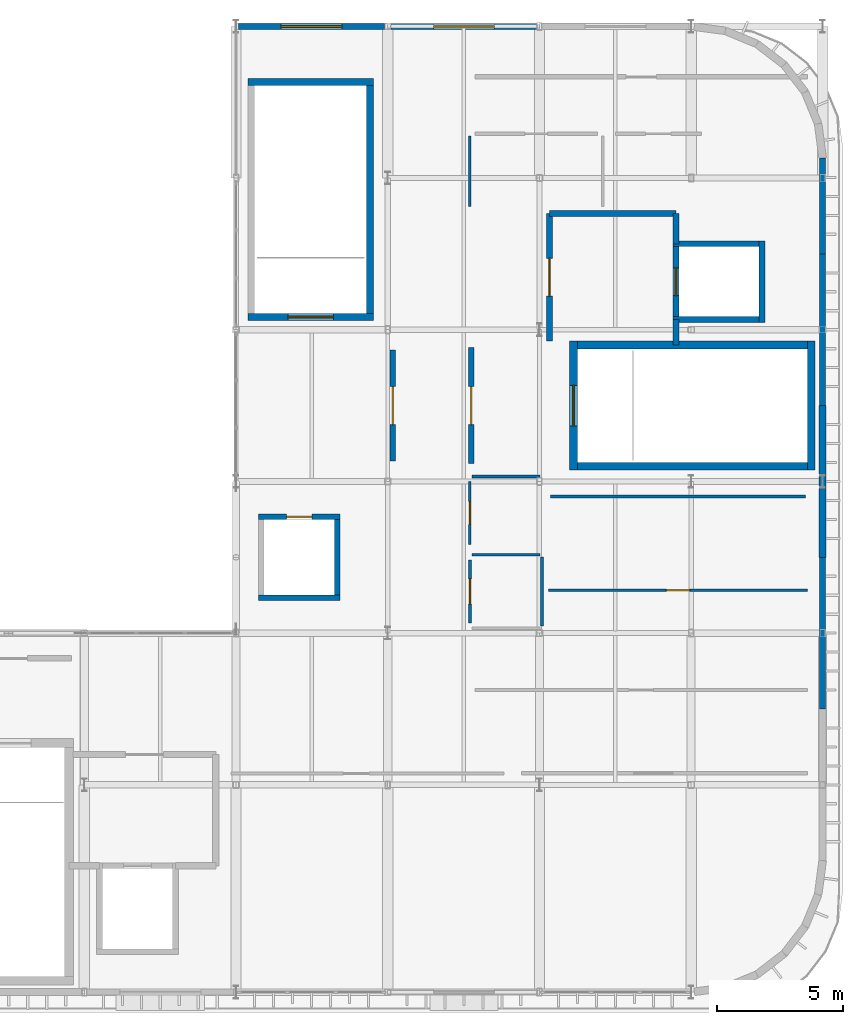
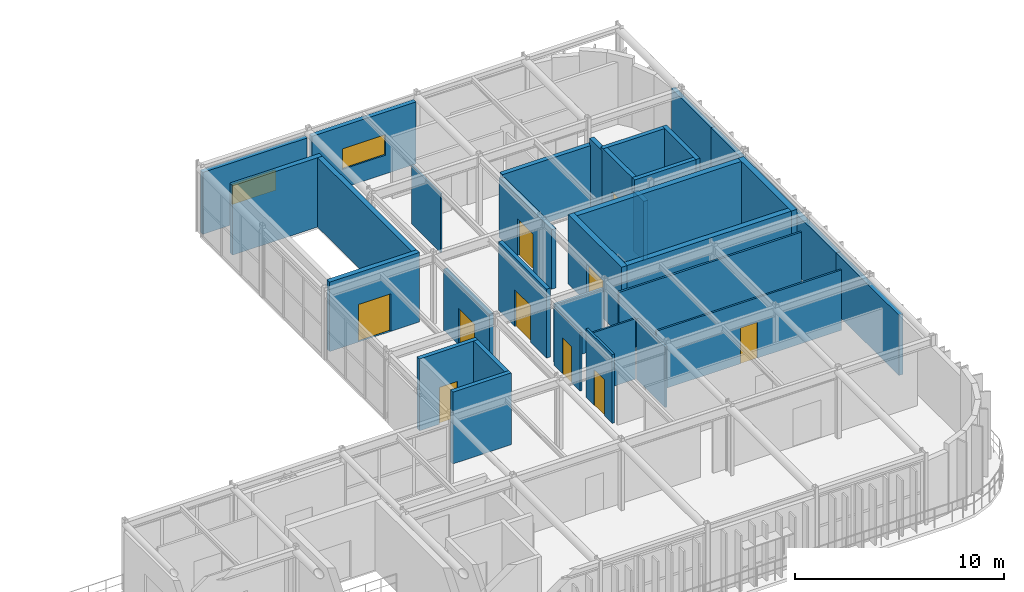
# One storey, part 9 of 14: 34 walls, 10 doors, 2 windows, 12 openings.
"""IFC4 building model written with IfcOpenShell, lengths in metres."""

import ifcopenshell
import ifcopenshell.guid

model = None  # the IFC model being written
_history = None  # IfcOwnerHistory: only IFC2X3 demands one
_inside = {}  # id of a spatial element -> (the spatial element, [elements in it])
_under = {}  # id of a project, library or spatial element -> (it, [spatial elements below it])
_declared = {}  # id of a project -> (the project, [libraries it declares])
_typed = {}  # id of a type object -> (the type object, [elements of that type])
_made_of = {}  # id of a material, layer set ... -> (it, [elements and type objects made of it])


def new_model(schema):
    """Start an empty IFC model of exactly this schema.

    Asked for "IFC4X3", IfcOpenShell would pick the latest addendum, in which some entities
    have other attributes; the version numbers below select the first issue.
    IFC2X3 requires an IfcOwnerHistory on every rooted entity: one is made here for all.
    """
    global model, _history
    if schema == "IFC4X3":
        model = ifcopenshell.file(schema_version=(4, 3, 0, 0))
    else:
        model = ifcopenshell.file(schema=schema)
    _inside.clear()
    _under.clear()
    _declared.clear()
    _typed.clear()
    _made_of.clear()
    _history = None
    if model.schema == "IFC2X3":
        org = make("IfcOrganization", Name="unknown")
        user = make(
            "IfcPersonAndOrganization",
            ThePerson=make("IfcPerson", FamilyName="unknown"),
            TheOrganization=org,
        )
        app = make(
            "IfcApplication",
            ApplicationDeveloper=org,
            Version="unknown",
            ApplicationFullName="unknown",
            ApplicationIdentifier="unknown",
        )
        _history = make(
            "IfcOwnerHistory",
            OwningUser=user,
            OwningApplication=app,
            ChangeAction="ADDED",
            CreationDate=0,
        )
    return model


def make(cls, **values):
    """One entity of the class cls with the attributes given. An attribute that is None is left unset."""
    return model.create_entity(
        cls, **{name: value for name, value in values.items() if value is not None}
    )


def rooted(cls, **values):
    """An entity with a GlobalId (a new one), such as an element, a storey or a relation."""
    return make(cls, GlobalId=ifcopenshell.guid.new(), OwnerHistory=_history, **values)


def si_unit(unit_type, name, prefix=None):
    """IfcSIUnit, for example si_unit("LENGTHUNIT", "METRE", prefix="MILLI")."""
    return make("IfcSIUnit", UnitType=unit_type, Prefix=prefix, Name=name)


def assignment(units):
    """IfcUnitAssignment: the units of a project."""
    return None if units is None else make("IfcUnitAssignment", Units=units)


def point(xyz):
    """IfcCartesianPoint."""
    return None if xyz is None else make("IfcCartesianPoint", Coordinates=xyz)


def direction(xyz):
    """IfcDirection."""
    return None if xyz is None else make("IfcDirection", DirectionRatios=xyz)


def frame(location, z_axis=None, x_axis=None):
    """IfcAxis2Placement3D, a coordinate frame: its origin and axes. An axis left out is left unset."""
    return make(
        "IfcAxis2Placement3D",
        Location=point(location),
        Axis=direction(z_axis),
        RefDirection=direction(x_axis),
    )


def frame_2d(location, x_axis=None):
    """IfcAxis2Placement2D, a coordinate frame in the plane: its origin and x axis."""
    return make(
        "IfcAxis2Placement2D", Location=point(location), RefDirection=direction(x_axis)
    )


def origin():
    """The frame at (0, 0, 0) with its axes left unset."""
    return frame((0.0, 0.0, 0.0))


def place(relative_to, where):
    """IfcLocalPlacement: puts the frame where relative to a parent placement (None: the world)."""
    return make(
        "IfcLocalPlacement", PlacementRelTo=relative_to, RelativePlacement=where
    )


def context(
    kind, dimensions, precision=None, world=None, true_north=None, identifier=None
):
    """IfcGeometricRepresentationContext, for example the 3D "Model" context."""
    return make(
        "IfcGeometricRepresentationContext",
        ContextIdentifier=identifier,
        ContextType=kind,
        CoordinateSpaceDimension=dimensions,
        Precision=precision,
        WorldCoordinateSystem=world,
        TrueNorth=true_north,
    )


def subcontext(parent, identifier, kind, view, scale=None):
    """IfcGeometricRepresentationSubContext, for example "Body" below "Model"."""
    return make(
        "IfcGeometricRepresentationSubContext",
        ContextIdentifier=identifier,
        ContextType=kind,
        ParentContext=parent,
        TargetScale=scale,
        TargetView=view,
    )


def project(units=None, contexts=None):
    """IfcProject with its units and contexts."""
    return rooted(
        "IfcProject",
        Name="project",
        RepresentationContexts=contexts,
        UnitsInContext=assignment(units),
    )


def spatial(cls, under=None, at=None, **own):
    """A site, building, storey or space (cls), placed at a placement, below another one or the project."""
    s = rooted(cls, ObjectPlacement=at, **own)
    if under is not None:
        _under.setdefault(under.id(), (under, []))[1].append(s)
    return s


def profile(cls, at=None, kind="AREA", **sizes):
    """A parametric profile (cls). Its sizes go by their IFC names, for example OverallWidth=200.0."""
    return make(cls, ProfileType=kind, Position=at, **sizes)


def rectangle(**sizes):
    """IfcRectangleProfileDef."""
    return profile("IfcRectangleProfileDef", **sizes)


def extrude(swept, where, along, depth):
    """IfcExtrudedAreaSolid: the profile swept, set in the frame where, extruded along a direction by depth."""
    return make(
        "IfcExtrudedAreaSolid",
        SweptArea=swept,
        Position=where,
        ExtrudedDirection=direction(along),
        Depth=depth,
    )


def shape(context_of_items, identifier, shape_type, items):
    """IfcShapeRepresentation: the items that make up one representation, for example the "Body"."""
    return make(
        "IfcShapeRepresentation",
        ContextOfItems=context_of_items,
        RepresentationIdentifier=identifier,
        RepresentationType=shape_type,
        Items=items,
    )


def material(Name=None, Category=None):
    """IfcMaterial."""
    return make("IfcMaterial", Name=Name, Category=Category)


def layer(
    of_material, thickness, ventilated=None, Name=None, Category=None, Priority=None
):
    """IfcMaterialLayer: one layer of a wall or slab, of a material (None: an air gap)."""
    return make(
        "IfcMaterialLayer",
        Material=of_material,
        LayerThickness=thickness,
        IsVentilated=ventilated,
        Name=Name,
        Category=Category,
        Priority=Priority,
    )


def layer_set(layers, Name=None):
    """IfcMaterialLayerSet."""
    return make("IfcMaterialLayerSet", MaterialLayers=layers, LayerSetName=Name)


def made_of(thing, what):
    """Note that an element or type object is made of a material, layer set ...; save() writes the relation."""
    if what is not None:
        _made_of.setdefault(what.id(), (what, []))[1].append(thing)
    return thing


def type_object(cls, material=None, **own):
    """A type object (cls), such as IfcWallType, which elements share."""
    return made_of(rooted(cls, **own), material)


def element(
    cls,
    number,
    at=None,
    inside=None,
    cuts=None,
    type_object=None,
    material=None,
    context=None,
    identifier="Body",
    shape_type=None,
    held_by="IfcProductDefinitionShape",
    body=None,
    shapes=None,
    **own,
):
    """One element of the class cls, such as IfcWall. Its Tag is "e" and its number.

    at: its placement. inside: the storey or other place that contains it. cuts: it is an
    opening in that element (IfcRelVoidsElement). A single representation is given by context,
    identifier, shape_type and body (its items); several are given by shapes. held_by: the class
    of the entity that holds the representations. save() writes the other relations.
    """
    e = rooted(cls, Tag="e%d" % number, ObjectPlacement=at, **own)
    if body is not None:
        shapes = [shape(context, identifier, shape_type, body)]
    if shapes is not None:
        e.Representation = make(held_by, Representations=shapes)
    if inside is not None:
        _inside.setdefault(inside.id(), (inside, []))[1].append(e)
    if cuts is not None:
        rooted(
            "IfcRelVoidsElement", RelatingBuildingElement=cuts, RelatedOpeningElement=e
        )
    if type_object is not None:
        _typed.setdefault(type_object.id(), (type_object, []))[1].append(e)
    return made_of(e, material)


def fill(opening, filler):
    """IfcRelFillsElement: the door or window that sits in an opening."""
    return rooted(
        "IfcRelFillsElement",
        RelatingOpeningElement=opening,
        RelatedBuildingElement=filler,
    )


def aggregate(whole, parts):
    """IfcRelAggregates: a whole, such as a stair, and the parts it consists of."""
    return rooted("IfcRelAggregates", RelatingObject=whole, RelatedObjects=parts)


def save(model, path):
    """Write the relations noted so far, then the file.

    IfcRelAggregates (storeys below a building ...), IfcRelContainedInSpatialStructure (elements
    in a storey), IfcRelDefinesByType, IfcRelAssociatesMaterial and IfcRelDeclares: one each for
    every whole, place, type object, material and project.
    """
    for whole, parts in _under.values():
        aggregate(whole, parts)
    for where, things in _inside.values():
        rooted(
            "IfcRelContainedInSpatialStructure",
            RelatedElements=things,
            RelatingStructure=where,
        )
    for kind, things in _typed.values():
        rooted("IfcRelDefinesByType", RelatedObjects=things, RelatingType=kind)
    for what, things in _made_of.values():
        rooted("IfcRelAssociatesMaterial", RelatedObjects=things, RelatingMaterial=what)
    for by, libraries in _declared.values():
        rooted("IfcRelDeclares", RelatingContext=by, RelatedDefinitions=libraries)
    model.write(path)


model = new_model("IFC4")

# Units and contexts
model_context = context("Model", 3, precision=1e-05, world=origin(), true_north=direction((0.0, 1.0)))
body_context = subcontext(model_context, "Body", "Model", "MODEL_VIEW")
ifc_project = project(units=[si_unit("LENGTHUNIT", "METRE"), si_unit("AREAUNIT", "SQUARE_METRE"), si_unit("VOLUMEUNIT", "CUBIC_METRE"), si_unit("PLANEANGLEUNIT", "RADIAN"), si_unit("MASSUNIT", "GRAM", prefix="KILO")], contexts=[model_context])

# Site, building, storey
site_placement = place(None, origin())
site = spatial("IfcSite", under=ifc_project, at=site_placement, CompositionType="ELEMENT")
building_placement = place(site_placement, origin())
building = spatial("IfcBuilding", under=site, at=building_placement, Name="Varnakota Square Police Headquarters", CompositionType="ELEMENT")
storey_placement = place(building_placement, frame((0.0, 0.0, 30.0)))
storey = spatial("IfcBuildingStorey", under=building, at=storey_placement, Name="L07", CompositionType="ELEMENT", Elevation=30.0)

# Walls
ifc_material_1 = material(Name="Concrete M40", Category="concrete")
ifc_layer_1 = layer(ifc_material_1, 0.22998046875, Name="Concrete M40")
ifc_layer_set_1 = layer_set([ifc_layer_1], Name="Concrete M40")
wall_type_1 = type_object("IfcWallType", Name="WL-CORE-230", PredefinedType="SHEAR", material=ifc_layer_set_1)
wall_1_placement = place(storey_placement, frame((155.284912109375, 27.39990234375, 0.0), z_axis=(0.0, 0.0, 1.0), x_axis=(1.0, 0.0, 0.0)))
element("IfcWall", 1, at=wall_1_placement, inside=storey, type_object=wall_type_1, Name="Lift shaft wall LF-FF2 L07 S", PredefinedType="SHEAR", context=body_context, shape_type="SweptSolid", body=[
    extrude(rectangle(XDim=3.630126953125, YDim=0.22998046875, at=frame_2d((1.81494140625, 0.0))), origin(), (0.0, 0.0, 1.0), 4.199951171875),
])
wall_2_placement = place(storey_placement, frame((158.800048828125, 27.284912109375, 0.0), z_axis=(0.0, 0.0, 1.0), x_axis=(0.0, 1.0, 0.0)))
element("IfcWall", 2, at=wall_2_placement, inside=storey, type_object=wall_type_1, Name="Lift shaft wall LF-FF2 L07 E", PredefinedType="SHEAR", context=body_context, shape_type="SweptSolid", body=[
    extrude(rectangle(XDim=3.22998046875, YDim=0.22998046875, at=frame_2d((1.614990234375, 0.0))), origin(), (0.0, 0.0, 1.0), 4.199951171875),
])
wall_3_placement = place(storey_placement, frame((158.9150390625, 30.39990234375, 0.0), z_axis=(0.0, 0.0, 1.0), x_axis=(-1.0, 0.0, 0.0)))
element("IfcWall", 3, at=wall_3_placement, inside=storey, type_object=wall_type_1, Name="Lift shaft wall LF-FF2 L07 N", PredefinedType="SHEAR", context=body_context, shape_type="SweptSolid", body=[
    extrude(rectangle(XDim=3.630126953125, YDim=0.22998046875, at=frame_2d((1.81494140625, 0.0))), origin(), (0.0, 0.0, 1.0), 4.199951171875),
])

# Wall, opening, door
wall_4_placement = place(storey_placement, frame((155.39990234375, 30.514892578125, 0.0), z_axis=(0.0, 0.0, 1.0), x_axis=(0.0, -1.0, 0.0)))
wall_4 = element("IfcWall", 4, at=wall_4_placement, inside=storey, type_object=wall_type_1, Name="Lift shaft wall LF-FF2 L07 W", PredefinedType="SHEAR", context=body_context, shape_type="SweptSolid", body=[
    extrude(rectangle(XDim=3.22998046875, YDim=0.22998046875, at=frame_2d((1.614990234375, 0.0))), origin(), (0.0, 0.0, 1.0), 4.199951171875),
])
opening_1_placement = place(wall_4_placement, frame((1.06494140625, 0.0, 0.0)))
opening_1 = element("IfcOpeningElement", 5, at=opening_1_placement, cuts=wall_4, Name="Opening LD016", PredefinedType="OPENING", context=body_context, shape_type="SweptSolid", body=[
    extrude(rectangle(XDim=1.10009765625, YDim=2.199951171875, at=frame_2d((0.550048828125, 1.10009765625))), frame((0.0, 0.125, 0.0), z_axis=(0.0, -1.0, 0.0), x_axis=(1.0, 0.0, 0.0)), (0.0, 0.0, 1.0), 0.25),
])
ifc_material_2 = material(Name="Brushed Grade 316 Stainless Steel", Category="steel")
door_type_1 = type_object("IfcDoorType", Name="DR-LD-FF", OperationType="NOTDEFINED", PredefinedType="DOOR", material=ifc_material_2)
door_1_placement = place(opening_1_placement, origin())
door_1 = element("IfcDoor", 6, at=door_1_placement, inside=storey, type_object=door_type_1, Name="Lift sliding landing door LD016", OperationType="SLIDING_TO_LEFT", OverallHeight=2.199951171875, OverallWidth=1.10009765625, PredefinedType="DOOR", context=body_context, shape_type="SweptSolid", body=[
    extrude(rectangle(XDim=1.10009765625, YDim=2.199951171875, at=frame_2d((0.550048828125, 1.10009765625))), frame((0.0, 0.02490234375, 0.0), z_axis=(0.0, -1.0, 0.0), x_axis=(1.0, 0.0, 0.0)), (0.0, 0.0, 1.0), 0.050048828125),
])
fill(opening_1, door_1)

# Walls
wall_5_placement = place(storey_placement, frame((138.885009765625, 16.39990234375, 0.0), z_axis=(0.0, 0.0, 1.0), x_axis=(1.0, 0.0, 0.0)))
element("IfcWall", 7, at=wall_5_placement, inside=storey, type_object=wall_type_1, Name="Lift shaft wall LF-P1 L07 S", PredefinedType="SHEAR", context=body_context, shape_type="SweptSolid", body=[
    extrude(rectangle(XDim=3.22998046875, YDim=0.22998046875, at=frame_2d((1.614990234375, 0.0))), origin(), (0.0, 0.0, 1.0), 4.199951171875),
])
wall_6_placement = place(storey_placement, frame((142.0, 16.284912109375, 0.0), z_axis=(0.0, 0.0, 1.0), x_axis=(0.0, 1.0, 0.0)))
element("IfcWall", 8, at=wall_6_placement, inside=storey, type_object=wall_type_1, Name="Lift shaft wall LF-P1 L07 E", PredefinedType="SHEAR", context=body_context, shape_type="SweptSolid", body=[
    extrude(rectangle(XDim=3.43017578125, YDim=0.22998046875, at=frame_2d((1.715087890625, 0.0))), origin(), (0.0, 0.0, 1.0), 4.199951171875),
])

# Wall, opening, door
wall_7_placement = place(storey_placement, frame((142.114990234375, 19.60009765625, 0.0), z_axis=(0.0, 0.0, 1.0), x_axis=(-1.0, 0.0, 0.0)))
wall_7 = element("IfcWall", 9, at=wall_7_placement, inside=storey, type_object=wall_type_1, Name="Lift shaft wall LF-P1 L07 N", PredefinedType="SHEAR", context=body_context, shape_type="SweptSolid", body=[
    extrude(rectangle(XDim=3.22998046875, YDim=0.22998046875, at=frame_2d((1.614990234375, 0.0))), origin(), (0.0, 0.0, 1.0), 4.199951171875),
])
opening_2_placement = place(wall_7_placement, frame((1.114990234375, 0.0, 0.0)))
opening_2 = element("IfcOpeningElement", 10, at=opening_2_placement, cuts=wall_7, Name="Opening LD024", PredefinedType="OPENING", context=body_context, shape_type="SweptSolid", body=[
    extrude(rectangle(XDim=1.0, YDim=2.14990234375, at=frame_2d((0.5, 1.074951171875))), frame((0.0, 0.125, 0.0), z_axis=(0.0, -1.0, 0.0), x_axis=(1.0, 0.0, 0.0)), (0.0, 0.0, 1.0), 0.25),
])
door_type_2 = type_object("IfcDoorType", Name="DR-LD-PAX", OperationType="NOTDEFINED", PredefinedType="DOOR", material=ifc_material_2)
door_2_placement = place(opening_2_placement, origin())
door_2 = element("IfcDoor", 11, at=door_2_placement, inside=storey, type_object=door_type_2, Name="Lift sliding landing door LD024", OperationType="SLIDING_TO_LEFT", OverallHeight=2.14990234375, OverallWidth=1.0, PredefinedType="DOOR", context=body_context, shape_type="SweptSolid", body=[
    extrude(rectangle(XDim=1.0, YDim=2.14990234375, at=frame_2d((0.5, 1.074951171875))), frame((0.0, 0.02490234375, 0.0), z_axis=(0.0, -1.0, 0.0), x_axis=(1.0, 0.0, 0.0)), (0.0, 0.0, 1.0), 0.050048828125),
])
fill(opening_2, door_2)

ifc_material_3 = material(Name="Concrete M50", Category="concrete")
ifc_layer_2 = layer(ifc_material_3, 0.27001953125, Name="Concrete M50")
ifc_layer_set_2 = layer_set([ifc_layer_2], Name="Concrete M50")
wall_type_2 = type_object("IfcWallType", Name="WL-CORE-270", PredefinedType="SHEAR", material=ifc_layer_set_2)
wall_8_placement = place(storey_placement, frame((138.465087890625, 27.5, 0.0), z_axis=(0.0, 0.0, 1.0), x_axis=(1.0, 0.0, 0.0)))
wall_8 = element("IfcWall", 12, at=wall_8_placement, inside=storey, type_object=wall_type_2, Name="Core C3 shear wall L07 S", PredefinedType="SHEAR", context=body_context, shape_type="SweptSolid", body=[
    extrude(rectangle(XDim=4.969970703125, YDim=0.27001953125, at=frame_2d((2.48486328125, 0.0))), origin(), (0.0, 0.0, 1.0), 4.06005859375),
])
opening_3_placement = place(wall_8_placement, frame((1.5849609375, 0.0, 0.0)))
opening_3 = element("IfcOpeningElement", 13, at=opening_3_placement, cuts=wall_8, Name="Opening SD056", PredefinedType="OPENING", context=body_context, shape_type="SweptSolid", body=[
    extrude(rectangle(XDim=1.800048828125, YDim=2.199951171875, at=frame_2d((0.89990234375, 1.10009765625))), frame((0.0, 0.14501953125, 0.0), z_axis=(0.0, -1.0, 0.0), x_axis=(1.0, 0.0, 0.0)), (0.0, 0.0, 1.0), 0.2900390625),
])
ifc_material_4 = material(Name="Powder-Coated Galvanised Steel", Category="steel")
door_type_3 = type_object("IfcDoorType", Name="DR-ST-180", OperationType="NOTDEFINED", PredefinedType="DOOR", material=ifc_material_4)
door_3_placement = place(opening_3_placement, origin())
door_3 = element("IfcDoor", 14, at=door_3_placement, inside=storey, type_object=door_type_3, Name="Protected stair door SD056", OperationType="DOUBLE_DOOR_SINGLE_SWING", OverallHeight=2.199951171875, OverallWidth=1.800048828125, PredefinedType="DOOR", context=body_context, shape_type="SweptSolid", body=[
    extrude(rectangle(XDim=1.800048828125, YDim=2.199951171875, at=frame_2d((0.89990234375, 1.10009765625))), frame((0.0, 0.02490234375, 0.0), z_axis=(0.0, -1.0, 0.0), x_axis=(1.0, 0.0, 0.0)), (0.0, 0.0, 1.0), 0.050048828125),
])
fill(opening_3, door_3)

# Walls
wall_9_placement = place(storey_placement, frame((143.300048828125, 27.364990234375, 0.0), z_axis=(0.0, 0.0, 1.0), x_axis=(0.0, 1.0, 0.0)))
element("IfcWall", 15, at=wall_9_placement, inside=storey, type_object=wall_type_2, Name="Core C3 shear wall L07 E", PredefinedType="SHEAR", context=body_context, shape_type="SweptSolid", body=[
    extrude(rectangle(XDim=9.570068359375, YDim=0.27001953125, at=frame_2d((4.78515625, 0.0))), origin(), (0.0, 0.0, 1.0), 4.06005859375),
])
wall_10_placement = place(storey_placement, frame((143.43505859375, 36.800048828125, 0.0), z_axis=(0.0, 0.0, 1.0), x_axis=(-1.0, 0.0, 0.0)))
element("IfcWall", 16, at=wall_10_placement, inside=storey, type_object=wall_type_2, Name="Core C3 shear wall L07 N", PredefinedType="SHEAR", context=body_context, shape_type="SweptSolid", body=[
    extrude(rectangle(XDim=4.969970703125, YDim=0.27001953125, at=frame_2d((2.48486328125, 0.0))), origin(), (0.0, 0.0, 1.0), 4.06005859375),
])
ifc_layer_3 = layer(ifc_material_3, 0.31005859375, Name="Concrete M50")
ifc_layer_set_3 = layer_set([ifc_layer_3], Name="Concrete M50")
wall_type_3 = type_object("IfcWallType", Name="WL-CORE-310", PredefinedType="SHEAR", material=ifc_layer_set_3)
wall_11_placement = place(storey_placement, frame((151.195068359375, 21.60009765625, 0.0), z_axis=(0.0, 0.0, 1.0), x_axis=(1.0, 0.0, 0.0)))
element("IfcWall", 17, at=wall_11_placement, inside=storey, type_object=wall_type_3, Name="Core C2 shear wall L07 S", PredefinedType="SHEAR", context=body_context, shape_type="SweptSolid", body=[
    extrude(rectangle(XDim=9.7099609375, YDim=0.31005859375, at=frame_2d((4.85498046875, 0.0))), origin(), (0.0, 0.0, 1.0), 4.06005859375),
])
wall_12_placement = place(storey_placement, frame((160.75, 21.445068359375, 0.0), z_axis=(0.0, 0.0, 1.0), x_axis=(0.0, 1.0, 0.0)))
element("IfcWall", 18, at=wall_12_placement, inside=storey, type_object=wall_type_3, Name="Core C2 shear wall L07 E", PredefinedType="SHEAR", context=body_context, shape_type="SweptSolid", body=[
    extrude(rectangle(XDim=5.10986328125, YDim=0.31005859375, at=frame_2d((2.554931640625, 0.0))), origin(), (0.0, 0.0, 1.0), 4.06005859375),
])
wall_13_placement = place(storey_placement, frame((160.905029296875, 26.39990234375, 0.0), z_axis=(0.0, 0.0, 1.0), x_axis=(-1.0, 0.0, 0.0)))
element("IfcWall", 19, at=wall_13_placement, inside=storey, type_object=wall_type_3, Name="Core C2 shear wall L07 N", PredefinedType="SHEAR", context=body_context, shape_type="SweptSolid", body=[
    extrude(rectangle(XDim=9.7099609375, YDim=0.31005859375, at=frame_2d((4.85498046875, 0.0))), origin(), (0.0, 0.0, 1.0), 4.06005859375),
])

# Wall, opening, door
wall_14_placement = place(storey_placement, frame((151.35009765625, 26.554931640625, 0.0), z_axis=(0.0, 0.0, 1.0), x_axis=(0.0, -1.0, 0.0)))
wall_14 = element("IfcWall", 20, at=wall_14_placement, inside=storey, type_object=wall_type_3, Name="Core C2 shear wall L07 W", PredefinedType="SHEAR", context=body_context, shape_type="SweptSolid", body=[
    extrude(rectangle(XDim=5.10986328125, YDim=0.31005859375, at=frame_2d((2.554931640625, 0.0))), origin(), (0.0, 0.0, 1.0), 4.06005859375),
])
opening_4_placement = place(wall_14_placement, frame((1.7548828125, 0.0, 0.0)))
opening_4 = element("IfcOpeningElement", 21, at=opening_4_placement, cuts=wall_14, Name="Opening SD032", PredefinedType="OPENING", context=body_context, shape_type="SweptSolid", body=[
    extrude(rectangle(XDim=1.60009765625, YDim=2.199951171875, at=frame_2d((0.800048828125, 1.10009765625))), frame((0.0, 0.1650390625, 0.0), z_axis=(0.0, -1.0, 0.0), x_axis=(1.0, 0.0, 0.0)), (0.0, 0.0, 1.0), 0.330078125),
])
door_type_4 = type_object("IfcDoorType", Name="DR-ST-160", OperationType="NOTDEFINED", PredefinedType="DOOR", material=ifc_material_4)
door_4_placement = place(opening_4_placement, origin())
door_4 = element("IfcDoor", 22, at=door_4_placement, inside=storey, type_object=door_type_4, Name="Protected stair door SD032", OperationType="DOUBLE_DOOR_SINGLE_SWING", OverallHeight=2.199951171875, OverallWidth=1.60009765625, PredefinedType="DOOR", context=body_context, shape_type="SweptSolid", body=[
    extrude(rectangle(XDim=1.60009765625, YDim=2.199951171875, at=frame_2d((0.800048828125, 1.10009765625))), frame((0.0, 0.02490234375, 0.0), z_axis=(0.0, -1.0, 0.0), x_axis=(1.0, 0.0, 0.0)), (0.0, 0.0, 1.0), 0.050048828125),
])
fill(opening_4, door_4)

# Walls
ifc_layer_4 = layer(ifc_material_1, 0.239990234375, Name="Concrete M40")
ifc_layer_set_4 = layer_set([ifc_layer_4], Name="Concrete M40")
wall_type_4 = type_object("IfcWallType", Name="WL-EXT-240", PredefinedType="SOLIDWALL", material=ifc_layer_set_4)
wall_15_placement = place(storey_placement, frame((161.199951171875, 12.0, 0.0), z_axis=(0.0, 0.0, 1.0), x_axis=(0.0, 1.0, 0.0)))
element("IfcWall", 23, at=wall_15_placement, inside=storey, type_object=wall_type_4, Name="Exterior wall EW-L07-0354", PredefinedType="SOLIDWALL", context=body_context, shape_type="SweptSolid", body=[
    extrude(rectangle(XDim=6.0, YDim=0.239990234375, at=frame_2d((3.0, 0.0))), origin(), (0.0, 0.0, 1.0), 3.530029296875),
])
wall_16_placement = place(storey_placement, frame((161.199951171875, 24.0, 0.0), z_axis=(0.0, 0.0, 1.0), x_axis=(0.0, 1.0, 0.0)))
element("IfcWall", 24, at=wall_16_placement, inside=storey, type_object=wall_type_4, Name="Exterior wall EW-L07-0356", PredefinedType="SOLIDWALL", context=body_context, shape_type="SweptSolid", body=[
    extrude(rectangle(XDim=6.0, YDim=0.239990234375, at=frame_2d((3.0, 0.0))), origin(), (0.0, 0.0, 1.0), 3.580078125),
])
wall_17_placement = place(storey_placement, frame((161.199951171875, 30.0, 0.0), z_axis=(0.0, 0.0, 1.0), x_axis=(0.0, 1.0, 0.0)))
element("IfcWall", 25, at=wall_17_placement, inside=storey, type_object=wall_type_4, Name="Exterior wall EW-L07-0357", PredefinedType="SOLIDWALL", context=body_context, shape_type="SweptSolid", body=[
    extrude(rectangle(XDim=3.800048828125, YDim=0.239990234375, at=frame_2d((1.89990234375, 0.0))), origin(), (0.0, 0.0, 1.0), 3.580078125),
])

# Wall, opening, window
wall_18_placement = place(storey_placement, frame((138.093994140625, 39.0, 0.0), z_axis=(0.0, 0.0, 1.0), x_axis=(1.0, 0.0, 0.0)))
wall_18 = element("IfcWall", 26, at=wall_18_placement, inside=storey, type_object=wall_type_4, Name="Exterior wall EW-L07-0362", PredefinedType="SOLIDWALL", context=body_context, shape_type="SweptSolid", body=[
    extrude(rectangle(XDim=5.777099609375, YDim=0.239990234375, at=frame_2d((2.888671875, 0.0))), origin(), (0.0, 0.0, 1.0), 3.62353515625),
])
opening_5_placement = place(wall_18_placement, frame((1.6884765625, 0.0, 1.10009765625)))
opening_5 = element("IfcOpeningElement", 27, at=opening_5_placement, cuts=wall_18, Name="Opening W06", PredefinedType="OPENING", context=body_context, shape_type="SweptSolid", body=[
    extrude(rectangle(XDim=2.39990234375, YDim=1.199951171875, at=frame_2d((1.199951171875, 0.60009765625))), frame((0.0, 0.1298828125, 0.0), z_axis=(0.0, -1.0, 0.0), x_axis=(1.0, 0.0, 0.0)), (0.0, 0.0, 1.0), 0.260009765625),
])
ifc_material_5 = material(Name="Thermally Broken Aluminium Double-Glazed Window", Category="aluminium")
window_type = type_object("IfcWindowType", Name="WIN-06", PartitioningType="SINGLE_PANEL", PredefinedType="WINDOW", material=ifc_material_5)
window_1_placement = place(opening_5_placement, origin())
window_1 = element("IfcWindow", 28, at=window_1_placement, inside=storey, type_object=window_type, Name="Window WN-L07-0062", OverallHeight=1.199951171875, OverallWidth=2.39990234375, PartitioningType="SINGLE_PANEL", PredefinedType="WINDOW", context=body_context, shape_type="SweptSolid", body=[
    extrude(rectangle(XDim=2.39990234375, YDim=1.199951171875, at=frame_2d((1.199951171875, 0.60009765625))), frame((0.0, 0.030029296875, 0.0), z_axis=(0.0, -1.0, 0.0), x_axis=(1.0, 0.0, 0.0)), (0.0, 0.0, 1.0), 0.06005859375),
])
fill(opening_5, window_1)

wall_19_placement = place(storey_placement, frame((144.12890625, 39.0, 0.0), z_axis=(0.0, 0.0, 1.0), x_axis=(1.0, 0.0, 0.0)))
wall_19 = element("IfcWall", 29, at=wall_19_placement, inside=storey, type_object=wall_type_4, Name="Exterior wall EW-L07-0363", PredefinedType="SOLIDWALL", context=body_context, shape_type="SweptSolid", body=[
    extrude(rectangle(XDim=5.76708984375, YDim=0.239990234375, at=frame_2d((2.883544921875, 0.0))), origin(), (0.0, 0.0, 1.0), 3.62353515625),
])
opening_6_placement = place(wall_19_placement, frame((1.68359375, 0.0, 1.10009765625)))
opening_6 = element("IfcOpeningElement", 30, at=opening_6_placement, cuts=wall_19, Name="Opening W06", PredefinedType="OPENING", context=body_context, shape_type="SweptSolid", body=[
    extrude(rectangle(XDim=2.39990234375, YDim=1.199951171875, at=frame_2d((1.199951171875, 0.60009765625))), frame((0.0, 0.1298828125, 0.0), z_axis=(0.0, -1.0, 0.0), x_axis=(1.0, 0.0, 0.0)), (0.0, 0.0, 1.0), 0.260009765625),
])
window_2_placement = place(opening_6_placement, origin())
window_2 = element("IfcWindow", 31, at=window_2_placement, inside=storey, type_object=window_type, Name="Window WN-L07-0063", OverallHeight=1.199951171875, OverallWidth=2.39990234375, PartitioningType="SINGLE_PANEL", PredefinedType="WINDOW", context=body_context, shape_type="SweptSolid", body=[
    extrude(rectangle(XDim=2.39990234375, YDim=1.199951171875, at=frame_2d((1.199951171875, 0.60009765625))), frame((0.0, 0.030029296875, 0.0), z_axis=(0.0, -1.0, 0.0), x_axis=(1.0, 0.0, 0.0)), (0.0, 0.0, 1.0), 0.06005859375),
])
fill(opening_6, window_2)

# Walls
ifc_layer_5 = layer(ifc_material_1, 0.280029296875, Name="Concrete M40")
ifc_layer_set_5 = layer_set([ifc_layer_5], Name="Concrete M40")
wall_type_5 = type_object("IfcWallType", Name="WL-EXT-280", PredefinedType="SOLIDWALL", material=ifc_layer_set_5)
wall_20_placement = place(storey_placement, frame((161.199951171875, 18.0, 0.0), z_axis=(0.0, 0.0, 1.0), x_axis=(0.0, 1.0, 0.0)))
element("IfcWall", 32, at=wall_20_placement, inside=storey, type_object=wall_type_5, Name="Exterior wall EW-L07-0355", PredefinedType="SOLIDWALL", context=body_context, shape_type="SweptSolid", body=[
    extrude(rectangle(XDim=6.0, YDim=0.280029296875, at=frame_2d((3.0, 0.0))), origin(), (0.0, 0.0, 1.0), 3.530029296875),
])
ifc_material_6 = material(Name="Lightweight Demountable Office Partition", Category="gypsum")
ifc_layer_6 = layer(ifc_material_6, 0.094970703125, Name="Lightweight Demountable Office Partition")
ifc_layer_set_6 = layer_set([ifc_layer_6], Name="Lightweight Demountable Office Partition")
wall_type_6 = type_object("IfcWallType", Name="WL-PRT-095", PredefinedType="PARTITIONING", material=ifc_layer_set_6)
wall_21_placement = place(storey_placement, frame((147.330078125, 18.10009765625, 0.0), z_axis=(0.0, 0.0, 1.0), x_axis=(1.0, 0.0, 0.0)))
element("IfcWall", 33, at=wall_21_placement, inside=storey, type_object=wall_type_6, Name="Interior dividing partition PW-L07-0275 (L07 Accessible WC East)", PredefinedType="PARTITIONING", context=body_context, shape_type="SweptSolid", body=[
    extrude(rectangle(XDim=2.68994140625, YDim=0.094970703125, at=frame_2d((1.344970703125, 0.0))), origin(), (0.0, 0.0, 1.0), 3.530029296875),
])
wall_22_placement = place(storey_placement, frame((147.25, 31.8798828125, 0.0), z_axis=(0.0, 0.0, 1.0), x_axis=(0.0, 1.0, 0.0)))
element("IfcWall", 34, at=wall_22_placement, inside=storey, type_object=wall_type_6, Name="Interior dividing partition PW-L07-0278 (L07 Operations Women Washroom WC)", PredefinedType="PARTITIONING", context=body_context, shape_type="SweptSolid", body=[
    extrude(rectangle(XDim=2.7900390625, YDim=0.094970703125, at=frame_2d((1.39501953125, 0.0))), origin(), (0.0, 0.0, 1.0), 3.429931640625),
])

# Wall, opening, door
ifc_material_7 = material(Name="Glazed Clean-Lab Modular Partition", Category="gypsum")
ifc_layer_7 = layer(ifc_material_7, 0.10498046875, Name="Glazed Clean-Lab Modular Partition")
ifc_layer_set_7 = layer_set([ifc_layer_7], Name="Glazed Clean-Lab Modular Partition")
wall_type_7 = type_object("IfcWallType", Name="WL-PRT-105", PredefinedType="PARTITIONING", material=ifc_layer_set_7)
wall_23_placement = place(storey_placement, frame((147.25, 18.5, 0.0), z_axis=(0.0, 0.0, 1.0), x_axis=(0.0, 1.0, 0.0)))
wall_23 = element("IfcWall", 35, at=wall_23_placement, inside=storey, type_object=wall_type_7, Name="Interior partition PW-L07-0263 (L07 Operations Men Washroom WC)", PredefinedType="PARTITIONING", context=body_context, shape_type="SweptSolid", body=[
    extrude(rectangle(XDim=2.5, YDim=0.10498046875, at=frame_2d((1.25, 0.0))), origin(), (0.0, 0.0, 1.0), 3.429931640625),
])
opening_7_placement = place(wall_23_placement, frame((0.800048828125, 0.0, 0.0)))
opening_7 = element("IfcOpeningElement", 36, at=opening_7_placement, cuts=wall_23, Name="Opening D299", PredefinedType="OPENING", context=body_context, shape_type="SweptSolid", body=[
    extrude(rectangle(XDim=0.89990234375, YDim=2.10009765625, at=frame_2d((0.449951171875, 1.050048828125))), frame((0.0, 0.0625, 0.0), z_axis=(0.0, -1.0, 0.0), x_axis=(1.0, 0.0, 0.0)), (0.0, 0.0, 1.0), 0.125),
])
ifc_material_8 = material(Name="High-Pressure Moisture-Resistant Compact Laminate")
door_type_5 = type_object("IfcDoorType", Name="DR-WC-090", OperationType="NOTDEFINED", PredefinedType="DOOR", material=ifc_material_8)
door_5_placement = place(opening_7_placement, origin())
door_5 = element("IfcDoor", 37, at=door_5_placement, inside=storey, type_object=door_type_5, Name="Room door D299 (L07 Operations Men Washroom WC)", OperationType="SINGLE_SWING_RIGHT", OverallHeight=2.10009765625, OverallWidth=0.89990234375, PredefinedType="DOOR", context=body_context, shape_type="SweptSolid", body=[
    extrude(rectangle(XDim=0.89990234375, YDim=2.10009765625, at=frame_2d((0.449951171875, 1.050048828125))), frame((0.0, 0.02490234375, 0.0), z_axis=(0.0, -1.0, 0.0), x_axis=(1.0, 0.0, 0.0)), (0.0, 0.0, 1.0), 0.050048828125),
])
fill(opening_7, door_5)

wall_24_placement = place(storey_placement, frame((160.60009765625, 16.699951171875, 0.0), z_axis=(0.0, 0.0, 1.0), x_axis=(-1.0, 0.0, 0.0)))
wall_24 = element("IfcWall", 38, at=wall_24_placement, inside=storey, type_object=wall_type_7, Name="Interior partition PW-L07-0270 (Executive Hospitality Canteen Pantry)", PredefinedType="PARTITIONING", context=body_context, shape_type="SweptSolid", body=[
    extrude(rectangle(XDim=10.25, YDim=0.10498046875, at=frame_2d((5.125, 0.0))), origin(), (0.0, 0.0, 1.0), 3.530029296875),
])
opening_8_placement = place(wall_24_placement, frame((4.6650390625, 0.0, 0.0)))
opening_8 = element("IfcOpeningElement", 39, at=opening_8_placement, cuts=wall_24, Name="Opening D306", PredefinedType="OPENING", context=body_context, shape_type="SweptSolid", body=[
    extrude(rectangle(XDim=0.919921875, YDim=2.10009765625, at=frame_2d((0.4599609375, 1.050048828125))), frame((0.0, 0.0625, 0.0), z_axis=(0.0, -1.0, 0.0), x_axis=(1.0, 0.0, 0.0)), (0.0, 0.0, 1.0), 0.125),
])
ifc_material_9 = material(Name="High-Pressure Melamine-Faced Hardwood Core", Category="wood")
door_type_6 = type_object("IfcDoorType", Name="DR-PAN-092", OperationType="NOTDEFINED", PredefinedType="DOOR", material=ifc_material_9)
door_6_placement = place(opening_8_placement, origin())
door_6 = element("IfcDoor", 40, at=door_6_placement, inside=storey, type_object=door_type_6, Name="Room door D306 (Executive Hospitality Canteen Pantry)", OperationType="SINGLE_SWING_LEFT", OverallHeight=2.10009765625, OverallWidth=0.919921875, PredefinedType="DOOR", context=body_context, shape_type="SweptSolid", body=[
    extrude(rectangle(XDim=0.919921875, YDim=2.10009765625, at=frame_2d((0.4599609375, 1.050048828125))), frame((0.0, 0.02490234375, 0.0), z_axis=(0.0, -1.0, 0.0), x_axis=(1.0, 0.0, 0.0)), (0.0, 0.0, 1.0), 0.050048828125),
])
fill(opening_8, door_6)

# Walls
ifc_material_10 = material(Name="Moisture-Resistant Tile-Backed Partition", Category="gypsum")
ifc_layer_8 = layer(ifc_material_10, 0.114990234375, Name="Moisture-Resistant Tile-Backed Partition")
ifc_layer_set_8 = layer_set([ifc_layer_8], Name="Moisture-Resistant Tile-Backed Partition")
wall_type_8 = type_object("IfcWallType", Name="WL-PRT-115", PredefinedType="PARTITIONING", material=ifc_layer_set_8)
wall_25_placement = place(storey_placement, frame((150.10009765625, 18.02001953125, 0.0), z_axis=(0.0, 0.0, 1.0), x_axis=(0.0, -1.0, 0.0)))
element("IfcWall", 41, at=wall_25_placement, inside=storey, type_object=wall_type_8, Name="Interior dividing partition PW-L07-0273 (L07 Accessible WC East)", PredefinedType="PARTITIONING", context=body_context, shape_type="SweptSolid", body=[
    extrude(rectangle(XDim=2.739990234375, YDim=0.114990234375, at=frame_2d((1.3701171875, 0.0))), origin(), (0.0, 0.0, 1.0), 3.530029296875),
])
wall_26_placement = place(storey_placement, frame((150.429931640625, 20.39990234375, 0.0), z_axis=(0.0, 0.0, 1.0), x_axis=(1.0, 0.0, 0.0)))
element("IfcWall", 42, at=wall_26_placement, inside=storey, type_object=wall_type_8, Name="Interior dividing partition PW-L07-0279 (Executive Hospitality Canteen Pantry)", PredefinedType="PARTITIONING", context=body_context, shape_type="SweptSolid", body=[
    extrude(rectangle(XDim=10.090087890625, YDim=0.114990234375, at=frame_2d((5.044921875, 0.0))), origin(), (0.0, 0.0, 1.0), 3.530029296875),
])

# Wall, opening, door
ifc_material_11 = material(Name="Acoustic Insulated Metal-Stud Partition", Category="gypsum")
ifc_layer_9 = layer(ifc_material_11, 0.125, Name="Acoustic Insulated Metal-Stud Partition")
ifc_layer_set_9 = layer_set([ifc_layer_9], Name="Acoustic Insulated Metal-Stud Partition")
wall_type_9 = type_object("IfcWallType", Name="WL-PRT-125", PredefinedType="PARTITIONING", material=ifc_layer_set_9)
wall_27_placement = place(storey_placement, frame((147.25, 15.39990234375, 0.0), z_axis=(0.0, 0.0, 1.0), x_axis=(0.0, 1.0, 0.0)))
wall_27 = element("IfcWall", 43, at=wall_27_placement, inside=storey, type_object=wall_type_9, Name="Interior partition PW-L07-0262 (L07 Accessible WC East)", PredefinedType="PARTITIONING", context=body_context, shape_type="SweptSolid", body=[
    extrude(rectangle(XDim=2.5, YDim=0.125, at=frame_2d((1.25, 0.0))), origin(), (0.0, 0.0, 1.0), 4.030029296875),
])
opening_9_placement = place(wall_27_placement, frame((0.75, 0.0, 0.0)))
opening_9 = element("IfcOpeningElement", 44, at=opening_9_placement, cuts=wall_27, Name="Opening D298", PredefinedType="OPENING", context=body_context, shape_type="SweptSolid", body=[
    extrude(rectangle(XDim=1.0, YDim=2.10009765625, at=frame_2d((0.5, 1.050048828125))), frame((0.0, 0.072509765625, 0.0), z_axis=(0.0, -1.0, 0.0), x_axis=(1.0, 0.0, 0.0)), (0.0, 0.0, 1.0), 0.14501953125),
])
ifc_material_12 = material(Name="Antimicrobial High-Pressure Compact Laminate")
door_type_7 = type_object("IfcDoorType", Name="DR-WCA-100", OperationType="NOTDEFINED", PredefinedType="DOOR", material=ifc_material_12)
door_7_placement = place(opening_9_placement, origin())
door_7 = element("IfcDoor", 45, at=door_7_placement, inside=storey, type_object=door_type_7, Name="Room door D298 (L07 Accessible WC East)", OperationType="SINGLE_SWING_LEFT", OverallHeight=2.10009765625, OverallWidth=1.0, PredefinedType="DOOR", context=body_context, shape_type="SweptSolid", body=[
    extrude(rectangle(XDim=1.0, YDim=2.10009765625, at=frame_2d((0.5, 1.050048828125))), frame((0.0, 0.02490234375, 0.0), z_axis=(0.0, -1.0, 0.0), x_axis=(1.0, 0.0, 0.0)), (0.0, 0.0, 1.0), 0.050048828125),
])
fill(opening_9, door_7)

# Wall
wall_28_placement = place(storey_placement, frame((147.330078125, 21.199951171875, 0.0), z_axis=(0.0, 0.0, 1.0), x_axis=(1.0, 0.0, 0.0)))
element("IfcWall", 46, at=wall_28_placement, inside=storey, type_object=wall_type_9, Name="Interior dividing partition PW-L07-0276 (L07 Operations Men Washroom WC)", PredefinedType="PARTITIONING", context=body_context, shape_type="SweptSolid", body=[
    extrude(rectangle(XDim=2.68994140625, YDim=0.125, at=frame_2d((1.344970703125, 0.0))), origin(), (0.0, 0.0, 1.0), 3.429931640625),
])

# Wall, opening, door
ifc_layer_10 = layer(ifc_material_1, 0.215087890625, Name="Concrete M40")
ifc_layer_set_10 = layer_set([ifc_layer_10], Name="Concrete M40")
wall_type_10 = type_object("IfcWallType", Name="WL-PRT-215F", PredefinedType="PARTITIONING", material=ifc_layer_set_10)
wall_29_placement = place(storey_placement, frame((147.300048828125, 21.699951171875, 0.0), z_axis=(0.0, 0.0, 1.0), x_axis=(0.0, 1.0, 0.0)))
wall_29 = element("IfcWall", 47, at=wall_29_placement, inside=storey, type_object=wall_type_10, Name="Core C2 lobby fire partition L07", PredefinedType="PARTITIONING", context=body_context, shape_type="SweptSolid", body=[
    extrude(rectangle(XDim=4.60009765625, YDim=0.215087890625, at=frame_2d((2.300048828125, 0.0))), origin(), (0.0, 0.0, 1.0), 4.030029296875),
])
opening_10_placement = place(wall_29_placement, frame((1.550048828125, 0.0, 0.0)))
opening_10 = element("IfcOpeningElement", 48, at=opening_10_placement, cuts=wall_29, Name="Opening FD047", PredefinedType="OPENING", context=body_context, shape_type="SweptSolid", body=[
    extrude(rectangle(XDim=1.5, YDim=2.14990234375, at=frame_2d((0.75, 1.074951171875))), frame((0.0, 0.117431640625, 0.0), z_axis=(0.0, -1.0, 0.0), x_axis=(1.0, 0.0, 0.0)), (0.0, 0.0, 1.0), 0.235107421875),
])
ifc_material_13 = material(Name="Smoke-Sealed Galvanised Acoustic Steel", Category="steel")
door_type_8 = type_object("IfcDoorType", Name="DR-FFL-150", OperationType="NOTDEFINED", PredefinedType="DOOR", material=ifc_material_13)
door_8_placement = place(opening_10_placement, origin())
door_8 = element("IfcDoor", 49, at=door_8_placement, inside=storey, type_object=door_type_8, Name="Core lobby smoke door FD047", OperationType="DOUBLE_DOOR_SINGLE_SWING", OverallHeight=2.14990234375, OverallWidth=1.5, PredefinedType="DOOR", context=body_context, shape_type="SweptSolid", body=[
    extrude(rectangle(XDim=1.5, YDim=2.14990234375, at=frame_2d((0.75, 1.074951171875))), frame((0.0, 0.02490234375, 0.0), z_axis=(0.0, -1.0, 0.0), x_axis=(1.0, 0.0, 0.0)), (0.0, 0.0, 1.0), 0.050048828125),
])
fill(opening_10, door_8)

wall_30_placement = place(storey_placement, frame((144.199951171875, 21.800048828125, 0.0), z_axis=(0.0, 0.0, 1.0), x_axis=(0.0, 1.0, 0.0)))
wall_30 = element("IfcWall", 50, at=wall_30_placement, inside=storey, type_object=wall_type_10, Name="Core C3 lobby fire partition L07", PredefinedType="PARTITIONING", context=body_context, shape_type="SweptSolid", body=[
    extrude(rectangle(XDim=4.39990234375, YDim=0.215087890625, at=frame_2d((2.199951171875, 0.0))), origin(), (0.0, 0.0, 1.0), 3.580078125),
])
opening_11_placement = place(wall_30_placement, frame((1.449951171875, 0.0, 0.0)))
opening_11 = element("IfcOpeningElement", 51, at=opening_11_placement, cuts=wall_30, Name="Opening FD064", PredefinedType="OPENING", context=body_context, shape_type="SweptSolid", body=[
    extrude(rectangle(XDim=1.5, YDim=2.14990234375, at=frame_2d((0.75, 1.074951171875))), frame((0.0, 0.117431640625, 0.0), z_axis=(0.0, -1.0, 0.0), x_axis=(1.0, 0.0, 0.0)), (0.0, 0.0, 1.0), 0.235107421875),
])
door_9_placement = place(opening_11_placement, origin())
door_9 = element("IfcDoor", 52, at=door_9_placement, inside=storey, type_object=door_type_8, Name="Core lobby smoke door FD064", OperationType="DOUBLE_DOOR_SINGLE_SWING", OverallHeight=2.14990234375, OverallWidth=1.5, PredefinedType="DOOR", context=body_context, shape_type="SweptSolid", body=[
    extrude(rectangle(XDim=1.5, YDim=2.14990234375, at=frame_2d((0.75, 1.074951171875))), frame((0.0, 0.02490234375, 0.0), z_axis=(0.0, -1.0, 0.0), x_axis=(1.0, 0.0, 0.0)), (0.0, 0.0, 1.0), 0.050048828125),
])
fill(opening_11, door_9)

ifc_layer_11 = layer(ifc_material_1, 0.25, Name="Concrete M40")
ifc_layer_set_11 = layer_set([ifc_layer_11], Name="Concrete M40")
wall_type_11 = type_object("IfcWallType", Name="WL-PRT-250F", PredefinedType="PARTITIONING", material=ifc_layer_set_11)
wall_31_placement = place(storey_placement, frame((150.39990234375, 26.550048828125, 0.0), z_axis=(0.0, 0.0, 1.0), x_axis=(0.0, 1.0, 0.0)))
wall_31 = element("IfcWall", 53, at=wall_31_placement, inside=storey, type_object=wall_type_11, Name="Firefighting lobby enclosure C2 L07", PredefinedType="PARTITIONING", context=body_context, shape_type="SweptSolid", body=[
    extrude(rectangle(XDim=5.050048828125, YDim=0.25, at=frame_2d((2.52490234375, 0.0))), origin(), (0.0, 0.0, 1.0), 3.47998046875),
])
opening_12_placement = place(wall_31_placement, frame((1.77490234375, 0.0, 0.0)))
opening_12 = element("IfcOpeningElement", 54, at=opening_12_placement, cuts=wall_31, Name="Opening FD048", PredefinedType="OPENING", context=body_context, shape_type="SweptSolid", body=[
    extrude(rectangle(XDim=1.5, YDim=2.14990234375, at=frame_2d((0.75, 1.074951171875))), frame((0.0, 0.135009765625, 0.0), z_axis=(0.0, -1.0, 0.0), x_axis=(1.0, 0.0, 0.0)), (0.0, 0.0, 1.0), 0.27001953125),
])
door_10_placement = place(opening_12_placement, origin())
door_10 = element("IfcDoor", 55, at=door_10_placement, inside=storey, type_object=door_type_8, Name="Firefighting lobby fire door FD048", OperationType="DOUBLE_DOOR_SINGLE_SWING", OverallHeight=2.14990234375, OverallWidth=1.5, PredefinedType="DOOR", context=body_context, shape_type="SweptSolid", body=[
    extrude(rectangle(XDim=1.5, YDim=2.14990234375, at=frame_2d((0.75, 1.074951171875))), frame((0.0, 0.02490234375, 0.0), z_axis=(0.0, -1.0, 0.0), x_axis=(1.0, 0.0, 0.0)), (0.0, 0.0, 1.0), 0.050048828125),
])
fill(opening_12, door_10)

# Walls
wall_32_placement = place(storey_placement, frame((150.39990234375, 31.60009765625, 0.0), z_axis=(0.0, 0.0, 1.0), x_axis=(1.0, 0.0, 0.0)))
element("IfcWall", 56, at=wall_32_placement, inside=storey, type_object=wall_type_11, Name="Firefighting lobby return wall C2 L07 N", PredefinedType="PARTITIONING", context=body_context, shape_type="SweptSolid", body=[
    extrude(rectangle(XDim=5.0, YDim=0.25, at=frame_2d((2.5, 0.0))), origin(), (0.0, 0.0, 1.0), 3.679931640625),
])
wall_33_placement = place(storey_placement, frame((155.39990234375, 30.39990234375, 0.0), z_axis=(0.0, 0.0, 1.0), x_axis=(0.0, 1.0, 0.0)))
element("IfcWall", 57, at=wall_33_placement, inside=storey, type_object=wall_type_11, Name="Firefighting lobby return wall C2 L07 EN", PredefinedType="PARTITIONING", context=body_context, shape_type="SweptSolid", body=[
    extrude(rectangle(XDim=1.2001953125, YDim=0.25, at=frame_2d((0.60009765625, 0.0))), origin(), (0.0, 0.0, 1.0), 4.030029296875),
])
wall_34_placement = place(storey_placement, frame((155.39990234375, 26.39990234375, 0.0), z_axis=(0.0, 0.0, 1.0), x_axis=(0.0, 1.0, 0.0)))
element("IfcWall", 58, at=wall_34_placement, inside=storey, type_object=wall_type_11, Name="Firefighting lobby return wall C2 L07 ES", PredefinedType="PARTITIONING", context=body_context, shape_type="SweptSolid", body=[
    extrude(rectangle(XDim=1.0, YDim=0.25, at=frame_2d((0.5, 0.0))), origin(), (0.0, 0.0, 1.0), 3.47998046875),
])

save(model, "model.ifc")
